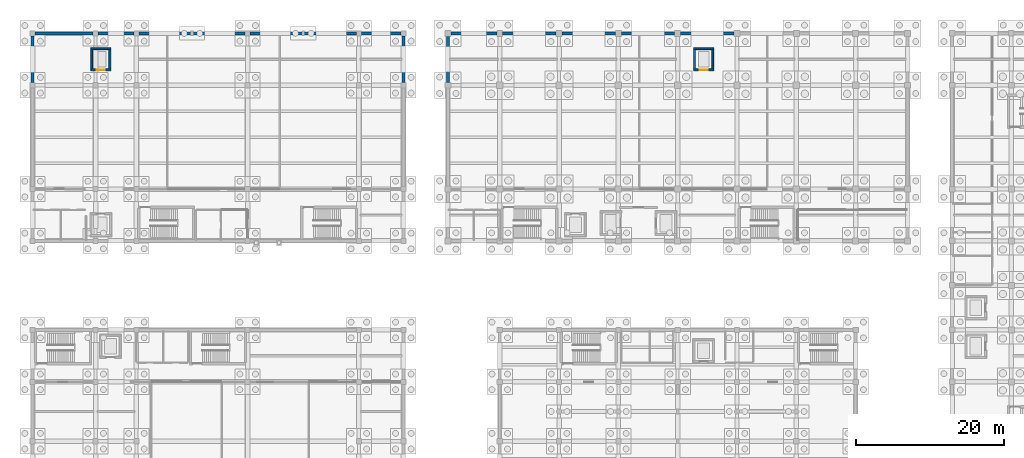
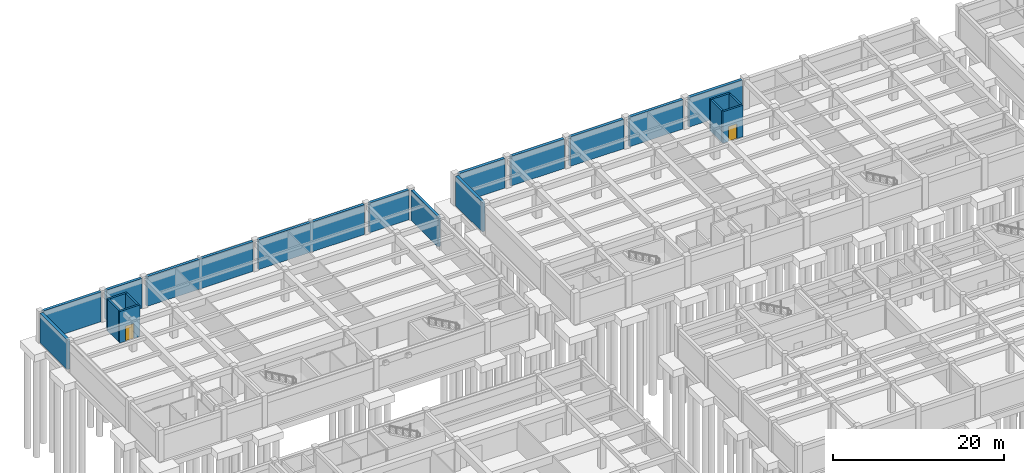
# One storey, part 19 of 28: 21 walls, 2 doors, 2 openings.
"""IFC4 building model written with IfcOpenShell, lengths in metres."""

from ifc_helpers import new_model, si_unit, direction, frame, frame_2d, origin, place, context, subcontext, project, spatial, rectangle, extrude, material, layer, layer_set, type_object, element, fill, save


model = new_model("IFC4")

# Units and contexts
model_context = context("Model", 3, precision=1e-05, world=origin(), true_north=direction((0.0, 1.0)))
body_context = subcontext(model_context, "Body", "Model", "MODEL_VIEW")
ifc_project = project(units=[si_unit("LENGTHUNIT", "METRE"), si_unit("AREAUNIT", "SQUARE_METRE"), si_unit("VOLUMEUNIT", "CUBIC_METRE"), si_unit("PLANEANGLEUNIT", "RADIAN"), si_unit("MASSUNIT", "GRAM", prefix="KILO")], contexts=[model_context])

# Site, building, storey
site_placement = place(None, origin())
site = spatial("IfcSite", under=ifc_project, at=site_placement, CompositionType="ELEMENT")
building_placement = place(site_placement, origin())
building = spatial("IfcBuilding", under=site, at=building_placement, Name="Naurynzar Civic Courthouse", CompositionType="ELEMENT")
storey_placement = place(building_placement, frame((0.0, 0.0, -4.5)))
storey = spatial("IfcBuildingStorey", under=building, at=storey_placement, Name="B01", CompositionType="ELEMENT", Elevation=-4.5)

# Walls
ifc_material_1 = material(Name="Concrete C40/50", Category="concrete")
ifc_layer_1 = layer(ifc_material_1, 0.3798828125)
ifc_layer_set_1 = layer_set([ifc_layer_1], Name="WL-RET-380")
wall_type_1 = type_object("IfcWallType", Name="WL-RET-380", PredefinedType="STANDARD", material=ifc_layer_set_1)
wall_1_placement = place(storey_placement, frame((6.0, 65.35009765625, 0.0), z_axis=(0.0, 0.0, 1.0), x_axis=(0.0, 1.0, 0.0)))
element("IfcWall", 1, at=wall_1_placement, inside=storey, type_object=wall_type_1, Name="V1 basement retaining wall west 3", PredefinedType="STANDARD", context=body_context, shape_type="SweptSolid", body=[
    extrude(rectangle(XDim=6.2998046875, YDim=0.3798828125, at=frame_2d((3.14990234375, 0.0))), origin(), (0.0, 0.0, 1.0), 4.239990234375),
])
wall_2_placement = place(storey_placement, frame((6.35009765625, 72.0, 0.0), z_axis=(0.0, 0.0, 1.0), x_axis=(1.0, 0.0, 0.0)))
element("IfcWall", 2, at=wall_2_placement, inside=storey, type_object=wall_type_1, Name="V1 basement retaining wall north 1", PredefinedType="STANDARD", context=body_context, shape_type="SweptSolid", body=[
    extrude(rectangle(XDim=7.7998046875, YDim=0.3798828125, at=frame_2d((3.89990234375, 0.0))), origin(), (0.0, 0.0, 1.0), 4.239990234375),
])
wall_3_placement = place(storey_placement, frame((14.85009765625, 72.0, 0.0), z_axis=(0.0, 0.0, 1.0), x_axis=(1.0, 0.0, 0.0)))
element("IfcWall", 3, at=wall_3_placement, inside=storey, type_object=wall_type_1, Name="V1 basement retaining wall north 2", PredefinedType="STANDARD", context=body_context, shape_type="SweptSolid", body=[
    extrude(rectangle(XDim=4.7998046875, YDim=0.3798828125, at=frame_2d((2.39990234375, 0.0))), origin(), (0.0, 0.0, 1.0), 4.239990234375),
])
for number, where, z_axis, x_axis, name in (
    (4, (20.35009765625, 72.0, 0.0), (0.0, 0.0, 1.0), (1.0, 0.0, 0.0), "V1 basement retaining wall north 3"),
    (5, (35.35009765625, 72.0, 0.0), (0.0, 0.0, 1.0), (1.0, 0.0, 0.0), "V1 basement retaining wall north 4"),
):
    element("IfcWall", number, at=place(storey_placement, frame(where, z_axis=z_axis, x_axis=x_axis)), inside=storey, type_object=wall_type_1, Name=name, PredefinedType="STANDARD", context=body_context, shape_type="SweptSolid", body=[
        extrude(rectangle(XDim=14.2998046875, YDim=0.3798828125, at=frame_2d((7.14990234375, 0.0))), origin(), (0.0, 0.0, 1.0), 4.239990234375),
    ])
wall_4_placement = place(storey_placement, frame((50.35009765625, 72.0, 0.0), z_axis=(0.0, 0.0, 1.0), x_axis=(1.0, 0.0, 0.0)))
element("IfcWall", 6, at=wall_4_placement, inside=storey, type_object=wall_type_1, Name="V1 basement retaining wall north 5", PredefinedType="STANDARD", context=body_context, shape_type="SweptSolid", body=[
    extrude(rectangle(XDim=5.2998046875, YDim=0.3798828125, at=frame_2d((2.64990234375, 0.0))), origin(), (0.0, 0.0, 1.0), 4.239990234375),
])
wall_5_placement = place(storey_placement, frame((56.0, 71.64990234375, 0.0), z_axis=(0.0, 0.0, 1.0), x_axis=(0.0, -1.0, 0.0)))
element("IfcWall", 7, at=wall_5_placement, inside=storey, type_object=wall_type_1, Name="V1 basement retaining wall east 1", PredefinedType="STANDARD", context=body_context, shape_type="SweptSolid", body=[
    extrude(rectangle(XDim=6.2998046875, YDim=0.3798828125, at=frame_2d((3.14990234375, 0.0))), origin(), (0.0, 0.0, 1.0), 4.239990234375),
])
ifc_material_2 = material(Name="Concrete C40/50", Category="concrete")
ifc_layer_2 = layer(ifc_material_2, 0.39990234375)
ifc_layer_set_2 = layer_set([ifc_layer_2], Name="WL-RET-400")
wall_type_2 = type_object("IfcWallType", Name="WL-RET-400", PredefinedType="STANDARD", material=ifc_layer_set_2)
for number, where, z_axis, x_axis, name in (
    (8, (62.0, 65.39990234375, 0.0), (0.0, 0.0, 1.0), (0.0, 1.0, 0.0), "V2 basement retaining wall west 3"),
    (9, (62.39990234375, 72.0, 0.0), (0.0, 0.0, 1.0), (1.0, 0.0, 0.0), "V2 basement retaining wall north 1"),
):
    element("IfcWall", number, at=place(storey_placement, frame(where, z_axis=z_axis, x_axis=x_axis)), inside=storey, type_object=wall_type_2, Name=name, PredefinedType="STANDARD", context=body_context, shape_type="SweptSolid", body=[
        extrude(rectangle(XDim=6.2001953125, YDim=0.39990234375, at=frame_2d((3.10009765625, 0.0))), origin(), (0.0, 0.0, 1.0), 4.199951171875),
    ])
for number, where, z_axis, x_axis, name in (
    (10, (69.39990234375, 72.0, 0.0), (0.0, 0.0, 1.0), (1.0, 0.0, 0.0), "V2 basement retaining wall north 2"),
    (11, (77.39990234375, 72.0, 0.0), (0.0, 0.0, 1.0), (1.0, 0.0, 0.0), "V2 basement retaining wall north 3"),
    (12, (85.39990234375, 72.0, 0.0), (0.0, 0.0, 1.0), (1.0, 0.0, 0.0), "V2 basement retaining wall north 4"),
    (13, (93.39990234375, 72.0, 0.0), (0.0, 0.0, 1.0), (1.0, 0.0, 0.0), "V2 basement retaining wall north 5"),
):
    element("IfcWall", number, at=place(storey_placement, frame(where, z_axis=z_axis, x_axis=x_axis)), inside=storey, type_object=wall_type_2, Name=name, PredefinedType="STANDARD", context=body_context, shape_type="SweptSolid", body=[
        extrude(rectangle(XDim=7.2001953125, YDim=0.39990234375, at=frame_2d((3.60009765625, 0.0))), origin(), (0.0, 0.0, 1.0), 4.199951171875),
    ])

# Wall, opening, door
ifc_material_3 = material(Name="Concrete C40/50", Category="concrete")
ifc_layer_3 = layer(ifc_material_3, 0.25)
ifc_layer_set_3 = layer_set([ifc_layer_3], Name="WL-SHAFT-250")
wall_type_3 = type_object("IfcWallType", Name="WL-SHAFT-250", PredefinedType="SHEAR", material=ifc_layer_set_3)
wall_6_placement = place(storey_placement, frame((13.85009765625, 67.074951171875, 0.0), z_axis=(0.0, 0.0, 1.0), x_axis=(1.0, 0.0, 0.0)))
wall_6 = element("IfcWall", 14, at=wall_6_placement, inside=storey, type_object=wall_type_3, Name="Lift LJ-01 shaft wall south B01", PredefinedType="SHEAR", context=body_context, shape_type="SweptSolid", body=[
    extrude(rectangle(XDim=2.699951171875, YDim=0.25, at=frame_2d((1.35009765625, 0.0))), origin(), (0.0, 0.0, 1.0), 4.5),
])
opening_1_placement = place(wall_6_placement, frame((0.800048828125, 0.0, 0.0)))
opening_1 = element("IfcOpeningElement", 15, at=opening_1_placement, cuts=wall_6, Name="Opening LD-006", PredefinedType="OPENING", context=body_context, shape_type="SweptSolid", body=[
    extrude(rectangle(XDim=1.10009765625, YDim=2.14990234375, at=frame_2d((0.550048828125, 1.074951171875))), frame((0.0, 0.135009765625, 0.0), z_axis=(0.0, -1.0, 0.0), x_axis=(1.0, 0.0, 0.0)), (0.0, 0.0, 1.0), 0.27001953125),
])
ifc_material_4 = material(Name="Brushed Stainless Steel 304", Category="steel")
door_type = type_object("IfcDoorType", Name="DR-LIFT-SLIDE-1100x2150", OperationType="DOUBLE_DOOR_SLIDING", PredefinedType="DOOR", material=ifc_material_4)
door_1_placement = place(opening_1_placement, origin())
door_1 = element("IfcDoor", 16, at=door_1_placement, inside=storey, type_object=door_type, Name="Lift LJ-01 sliding landing door B01", OperationType="DOUBLE_DOOR_SLIDING", OverallHeight=2.14990234375, OverallWidth=1.10009765625, PredefinedType="DOOR", context=body_context, shape_type="SweptSolid", body=[
    extrude(rectangle(XDim=1.10009765625, YDim=2.14990234375, at=frame_2d((0.550048828125, 1.074951171875))), frame((0.0, 0.02490234375, 0.0), z_axis=(0.0, -1.0, 0.0), x_axis=(1.0, 0.0, 0.0)), (0.0, 0.0, 1.0), 0.050048828125),
])
fill(opening_1, door_1)

# Walls
wall_7_placement = place(storey_placement, frame((16.550048828125, 69.925048828125, 0.0), z_axis=(0.0, 0.0, 1.0), x_axis=(-1.0, 0.0, 0.0)))
element("IfcWall", 17, at=wall_7_placement, inside=storey, type_object=wall_type_3, Name="Lift LJ-01 shaft wall north B01", PredefinedType="SHEAR", context=body_context, shape_type="SweptSolid", body=[
    extrude(rectangle(XDim=2.699951171875, YDim=0.25, at=frame_2d((1.35009765625, 0.0))), origin(), (0.0, 0.0, 1.0), 4.5),
])
for number, where, z_axis, x_axis, name in (
    (18, (13.97509765625, 69.794921875, 0.0), (0.0, 0.0, 1.0), (0.0, -1.0, 0.0), "Lift LJ-01 shaft wall west B01"),
    (19, (16.425048828125, 67.205078125, 0.0), (0.0, 0.0, 1.0), (0.0, 1.0, 0.0), "Lift LJ-01 shaft wall east B01"),
):
    element("IfcWall", number, at=place(storey_placement, frame(where, z_axis=z_axis, x_axis=x_axis)), inside=storey, type_object=wall_type_3, Name=name, PredefinedType="SHEAR", context=body_context, shape_type="SweptSolid", body=[
        extrude(rectangle(XDim=2.58984375, YDim=0.25, at=frame_2d((1.294921875, 0.0))), origin(), (0.0, 0.0, 1.0), 4.5),
    ])

# Wall, opening, door
wall_8_placement = place(storey_placement, frame((95.14990234375, 67.074951171875, 0.0), z_axis=(0.0, 0.0, 1.0), x_axis=(1.0, 0.0, 0.0)))
wall_8 = element("IfcWall", 20, at=wall_8_placement, inside=storey, type_object=wall_type_3, Name="Lift LJ-02 shaft wall south B01", PredefinedType="SHEAR", context=body_context, shape_type="SweptSolid", body=[
    extrude(rectangle(XDim=2.7001953125, YDim=0.25, at=frame_2d((1.35009765625, 0.0))), origin(), (0.0, 0.0, 1.0), 4.5),
])
opening_2_placement = place(wall_8_placement, frame((0.800048828125, 0.0, 0.0)))
opening_2 = element("IfcOpeningElement", 21, at=opening_2_placement, cuts=wall_8, Name="Opening LD-050", PredefinedType="OPENING", context=body_context, shape_type="SweptSolid", body=[
    extrude(rectangle(XDim=1.10009765625, YDim=2.14990234375, at=frame_2d((0.550048828125, 1.074951171875))), frame((0.0, 0.135009765625, 0.0), z_axis=(0.0, -1.0, 0.0), x_axis=(1.0, 0.0, 0.0)), (0.0, 0.0, 1.0), 0.27001953125),
])
door_2_placement = place(opening_2_placement, origin())
door_2 = element("IfcDoor", 22, at=door_2_placement, inside=storey, type_object=door_type, Name="Lift LJ-02 sliding landing door B01", OperationType="DOUBLE_DOOR_SLIDING", OverallHeight=2.14990234375, OverallWidth=1.10009765625, PredefinedType="DOOR", context=body_context, shape_type="SweptSolid", body=[
    extrude(rectangle(XDim=1.10009765625, YDim=2.14990234375, at=frame_2d((0.550048828125, 1.074951171875))), frame((0.0, 0.02490234375, 0.0), z_axis=(0.0, -1.0, 0.0), x_axis=(1.0, 0.0, 0.0)), (0.0, 0.0, 1.0), 0.050048828125),
])
fill(opening_2, door_2)

# Walls
wall_9_placement = place(storey_placement, frame((97.85009765625, 69.925048828125, 0.0), z_axis=(0.0, 0.0, 1.0), x_axis=(-1.0, 0.0, 0.0)))
element("IfcWall", 23, at=wall_9_placement, inside=storey, type_object=wall_type_3, Name="Lift LJ-02 shaft wall north B01", PredefinedType="SHEAR", context=body_context, shape_type="SweptSolid", body=[
    extrude(rectangle(XDim=2.7001953125, YDim=0.25, at=frame_2d((1.35009765625, 0.0))), origin(), (0.0, 0.0, 1.0), 4.5),
])
for number, where, z_axis, x_axis, name in (
    (24, (95.27490234375, 69.794921875, 0.0), (0.0, 0.0, 1.0), (0.0, -1.0, 0.0), "Lift LJ-02 shaft wall west B01"),
    (25, (97.72509765625, 67.205078125, 0.0), (0.0, 0.0, 1.0), (0.0, 1.0, 0.0), "Lift LJ-02 shaft wall east B01"),
):
    element("IfcWall", number, at=place(storey_placement, frame(where, z_axis=z_axis, x_axis=x_axis)), inside=storey, type_object=wall_type_3, Name=name, PredefinedType="SHEAR", context=body_context, shape_type="SweptSolid", body=[
        extrude(rectangle(XDim=2.58984375, YDim=0.25, at=frame_2d((1.294921875, 0.0))), origin(), (0.0, 0.0, 1.0), 4.5),
    ])

save(model, "model.ifc")
